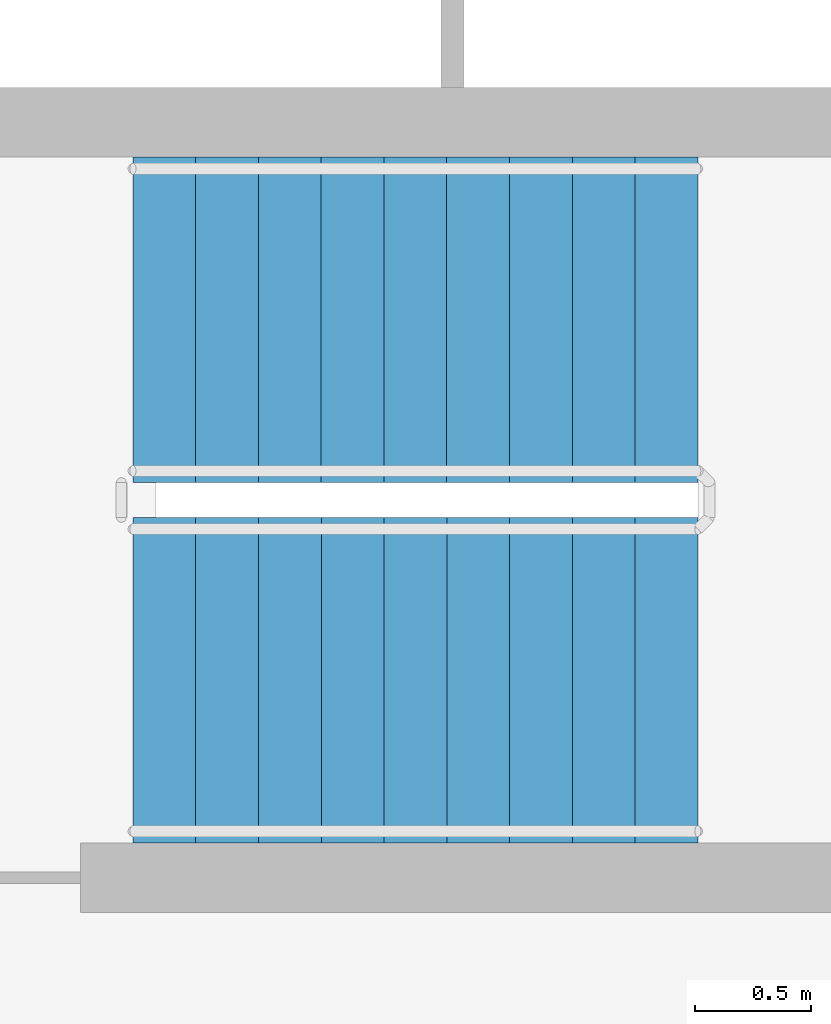
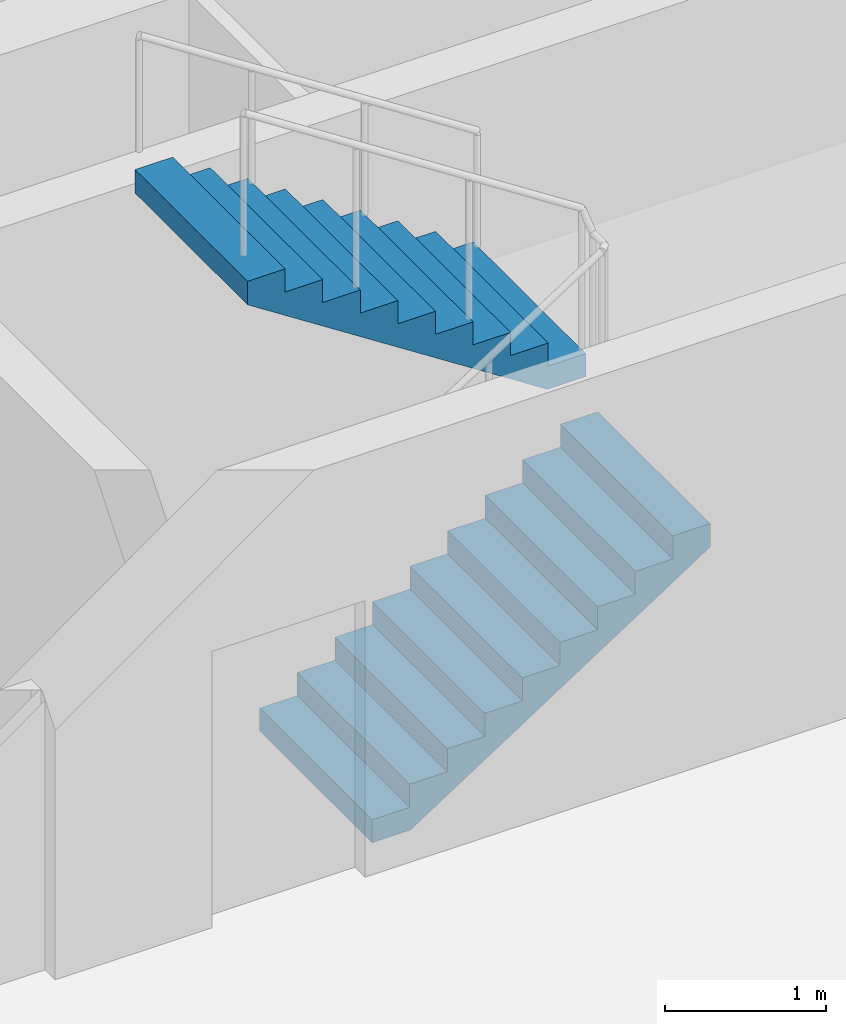
# One storey, part 12 of 19: 2 stair flights, 1 element without a shape of its own.
"""IFC4 building model written with IfcOpenShell, lengths in metres."""

from ifc_helpers import new_model, si_unit, direction, frame, origin, place, context, subcontext, project, spatial, polyline, outline, extrude, material, layer, layer_set, type_object, element, aggregate, save


model = new_model("IFC4")

# Units and contexts
model_context = context("Model", 3, precision=1e-05, world=origin(), true_north=direction((0.0, 1.0)))
body_context = subcontext(model_context, "Body", "Model", "MODEL_VIEW")
ifc_project = project(units=[si_unit("LENGTHUNIT", "METRE"), si_unit("AREAUNIT", "SQUARE_METRE"), si_unit("VOLUMEUNIT", "CUBIC_METRE"), si_unit("PLANEANGLEUNIT", "RADIAN"), si_unit("MASSUNIT", "GRAM", prefix="KILO")], contexts=[model_context])

# Site, building, storey
site_placement = place(None, origin())
site = spatial("IfcSite", under=ifc_project, at=site_placement, CompositionType="ELEMENT")
building_placement = place(site_placement, origin())
building = spatial("IfcBuilding", under=site, at=building_placement, Name="Saffron Iwan Residences", CompositionType="ELEMENT")
storey_placement = place(building_placement, frame((0.0, 0.0, 211.5)))
storey = spatial("IfcBuildingStorey", under=building, at=storey_placement, Name="L56", CompositionType="ELEMENT", Elevation=211.5)

# Stair, stair flights
ifc_material = material(Name="Concrete C50/60", Category="concrete")
stair_type = type_object("IfcStairType", Name="Stair ST-CORE", PredefinedType="HALF_TURN_STAIR", material=ifc_material)
stair_placement = place(storey_placement, origin())
stair = element("IfcStair", 1, at=stair_placement, inside=storey, type_object=stair_type, Name="L56 Exit Stair ST-C", PredefinedType="HALF_TURN_STAIR")
ifc_layer = layer(ifc_material, 0.14990234375)
ifc_layer_set = layer_set([ifc_layer], Name="Concrete C50/60")
stair_flight_type = type_object("IfcStairFlightType", Name="Stair flight SFL-RC", PredefinedType="STRAIGHT", material=ifc_layer_set)
stair_flight_1_placement = place(storey_placement, frame((53.925048828125, 73.625, 0.0), z_axis=(0.0, 0.0, 1.0), x_axis=(1.0, 0.0, 0.0)))
stair_flight_1 = element("IfcStairFlight", 2, at=stair_flight_1_placement, type_object=stair_flight_type, Name="ST-C flight 1", NumberOfRisers=10, NumberOfTreads=9, PredefinedType="STRAIGHT", RiserHeight=0.175, TreadLength=0.27, context=body_context, shape_type="SweptSolid", body=[
    extrude(outline(polyline([(0.0, 0.0), (0.0, 0.175048828125), (0.27001953125, 0.175048828125), (0.27001953125, 0.35009765625), (0.5400390625, 0.35009765625), (0.5400390625, 0.52490234375), (0.81005859375, 0.52490234375), (0.81005859375, 0.699951171875), (1.080078125, 0.699951171875), (1.080078125, 0.875), (1.35009765625, 0.875), (1.35009765625, 1.050048828125), (1.6201171875, 1.050048828125), (1.6201171875, 1.22509765625), (1.889892578125, 1.22509765625), (1.889892578125, 1.39990234375), (2.159912109375, 1.39990234375), (2.159912109375, 1.574951171875), (2.429931640625, 1.574951171875), (2.429931640625, 1.75), (2.429931640625, 1.396484375), (0.275634765625, 0.0), (0.0, 0.0)])), frame((0.0, 0.699951171875, 0.0), z_axis=(0.0, -1.0, 0.0), x_axis=(1.0, 0.0, 0.0)), (0.0, 0.0, 1.0), 1.39990234375),
])
stair_flight_2_placement = place(storey_placement, frame((56.35498046875, 75.175048828125, 1.75), z_axis=(0.0, 0.0, 1.0), x_axis=(-1.0, 0.0, 0.0)))
stair_flight_2 = element("IfcStairFlight", 3, at=stair_flight_2_placement, type_object=stair_flight_type, Name="ST-C flight 2", NumberOfRisers=10, NumberOfTreads=9, PredefinedType="STRAIGHT", RiserHeight=0.175, TreadLength=0.27, context=body_context, shape_type="SweptSolid", body=[
    extrude(outline(polyline([(0.0, 0.0), (0.0, 0.175048828125), (0.27001953125, 0.175048828125), (0.27001953125, 0.35009765625), (0.5400390625, 0.35009765625), (0.5400390625, 0.52490234375), (0.81005859375, 0.52490234375), (0.81005859375, 0.699951171875), (1.080078125, 0.699951171875), (1.080078125, 0.875), (1.35009765625, 0.875), (1.35009765625, 1.050048828125), (1.6201171875, 1.050048828125), (1.6201171875, 1.22509765625), (1.889892578125, 1.22509765625), (1.889892578125, 1.39990234375), (2.159912109375, 1.39990234375), (2.159912109375, 1.574951171875), (2.429931640625, 1.574951171875), (2.429931640625, 1.75), (2.429931640625, 1.396484375), (0.275634765625, 0.0), (0.0, 0.0)])), frame((0.0, 0.699951171875, 0.0), z_axis=(0.0, -1.0, 0.0), x_axis=(1.0, 0.0, 0.0)), (0.0, 0.0, 1.0), 1.39990234375),
])
aggregate(stair, [stair_flight_1, stair_flight_2])

save(model, "model.ifc")
